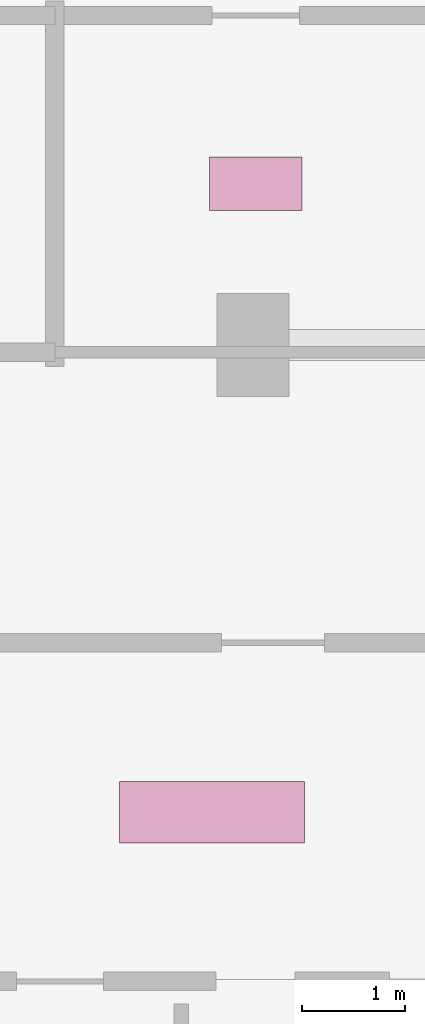
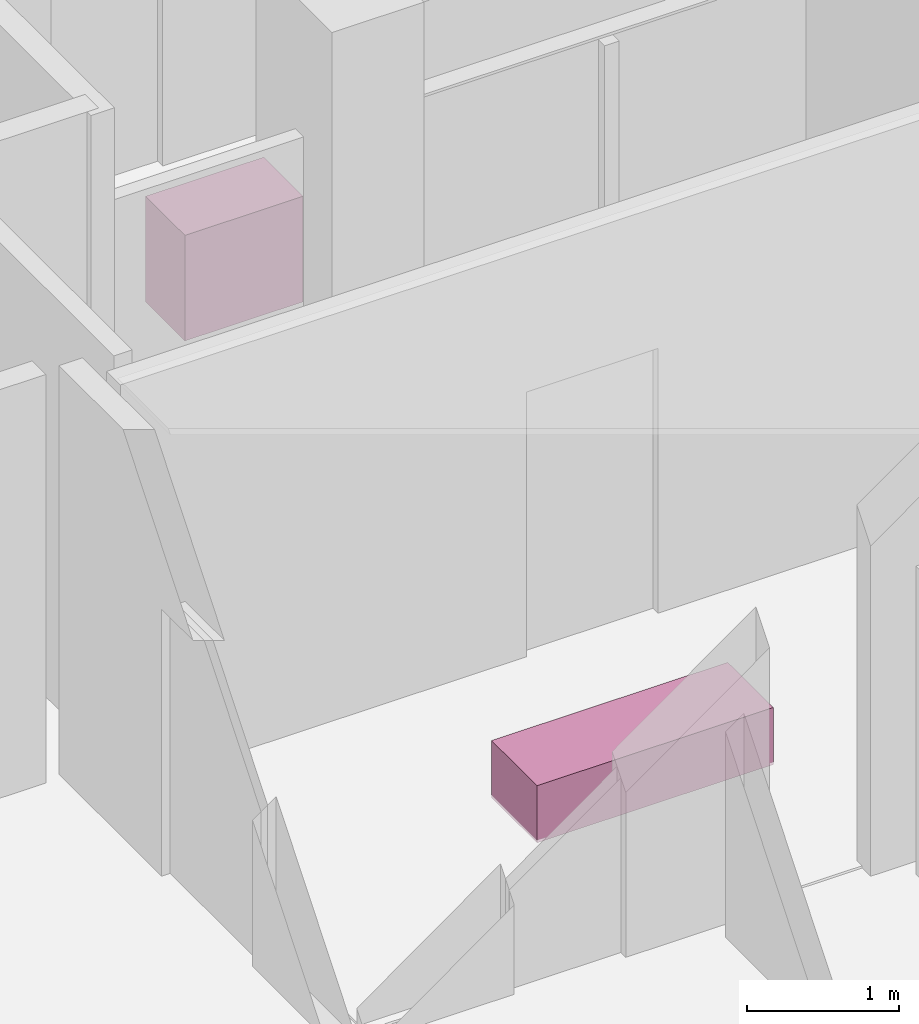
# One storey, part 30 of 30: 2 furnishings.
"""IFC4 building model written with IfcOpenShell, lengths in metres."""

from ifc_helpers import new_model, si_unit, direction, frame, origin, origin_2d, place, context, subcontext, project, spatial, rectangle, extrude, material, type_object, element, save


model = new_model("IFC4")

# Units and contexts
model_context = context("Model", 3, precision=1e-05, world=origin(), true_north=direction((0.0, 1.0)))
body_context = subcontext(model_context, "Body", "Model", "MODEL_VIEW")
ifc_project = project(units=[si_unit("LENGTHUNIT", "METRE"), si_unit("AREAUNIT", "SQUARE_METRE"), si_unit("VOLUMEUNIT", "CUBIC_METRE"), si_unit("PLANEANGLEUNIT", "RADIAN"), si_unit("MASSUNIT", "GRAM", prefix="KILO")], contexts=[model_context])

# Site, building, storey
site_placement = place(None, origin())
site = spatial("IfcSite", under=ifc_project, at=site_placement, CompositionType="ELEMENT")
building_placement = place(site_placement, origin())
building = spatial("IfcBuilding", under=site, at=building_placement, Name="Vorneva Point Tower", CompositionType="ELEMENT")
storey_placement = place(building_placement, frame((0.0, 0.0, 237.800048828125)))
storey = spatial("IfcBuildingStorey", under=building, at=storey_placement, Name="L64", CompositionType="ELEMENT", Elevation=237.800048828125)

# Furnishings
ifc_material_1 = material(Name="Engineered oak fire-rated door leaf", Category="wood")
furniture_type_1 = type_object("IfcFurnitureType", Name="FUR-BNC-1800", AssemblyPlace="NOTDEFINED", PredefinedType="NOTDEFINED", material=ifc_material_1)
furnishing_1_placement = place(storey_placement, frame((35.0, 26.0, -0.005126953125), z_axis=(0.0, 0.0, 1.0), x_axis=(1.0, 0.0, 0.0)))
element("IfcFurnishingElement", 1, at=furnishing_1_placement, inside=storey, type_object=furniture_type_1, Name="L64 Lift Lobby Seating Bench", ObjectType="L64 Lift Lobby Seating Bench", context=body_context, shape_type="SweptSolid", body=[
    extrude(rectangle(XDim=1.800048828125, YDim=0.60009765625, at=origin_2d()), origin(), (0.0, 0.0, 1.0), 0.4599609375),
])
ifc_material_2 = material(Name="Vitreous china and granite top", Category="masonry")
furniture_type_2 = type_object("IfcFurnitureType", Name="FUR-VAN-900", AssemblyPlace="NOTDEFINED", PredefinedType="NOTDEFINED", material=ifc_material_2)
furnishing_2_placement = place(storey_placement, frame((35.425048828125, 32.1201171875, -0.005126953125), z_axis=(0.0, 0.0, 1.0), x_axis=(1.0, 0.0, 0.0)))
element("IfcFurnishingElement", 2, at=furnishing_2_placement, inside=storey, type_object=furniture_type_2, Name="L64 Accessible WC Vanity Unit", ObjectType="L64 Accessible WC Vanity Unit", context=body_context, shape_type="SweptSolid", body=[
    extrude(rectangle(XDim=0.89990234375, YDim=0.52001953125, at=origin_2d()), origin(), (0.0, 0.0, 1.0), 0.85009765625),
])

save(model, "model.ifc")
